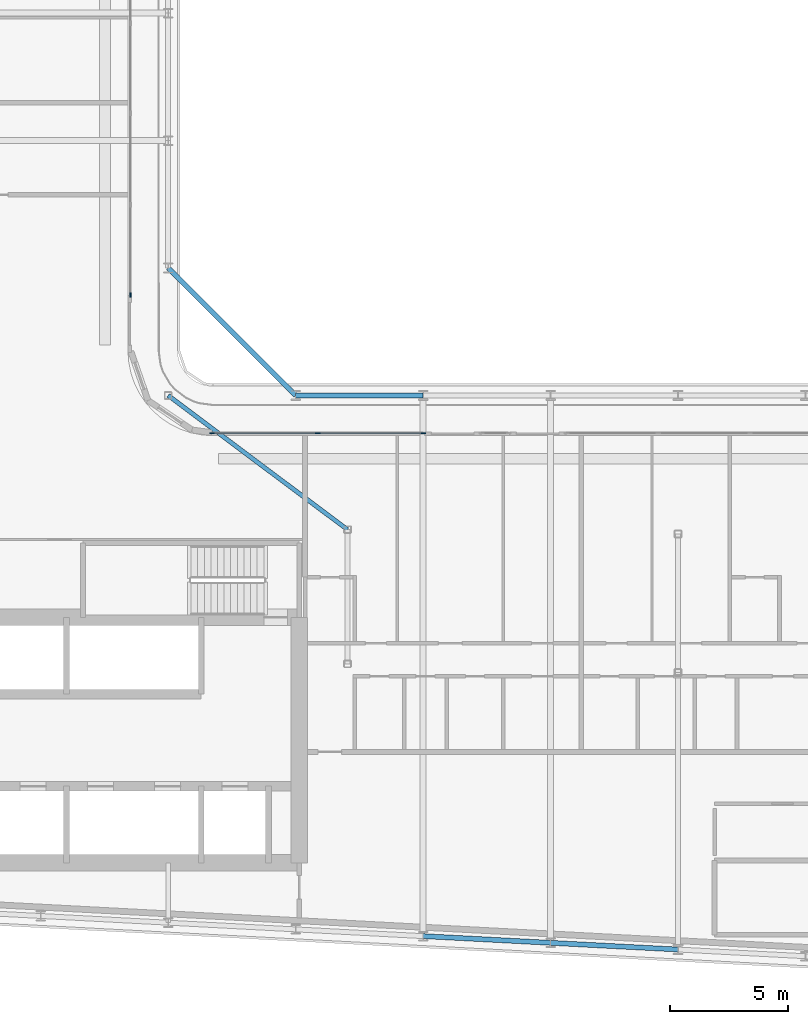
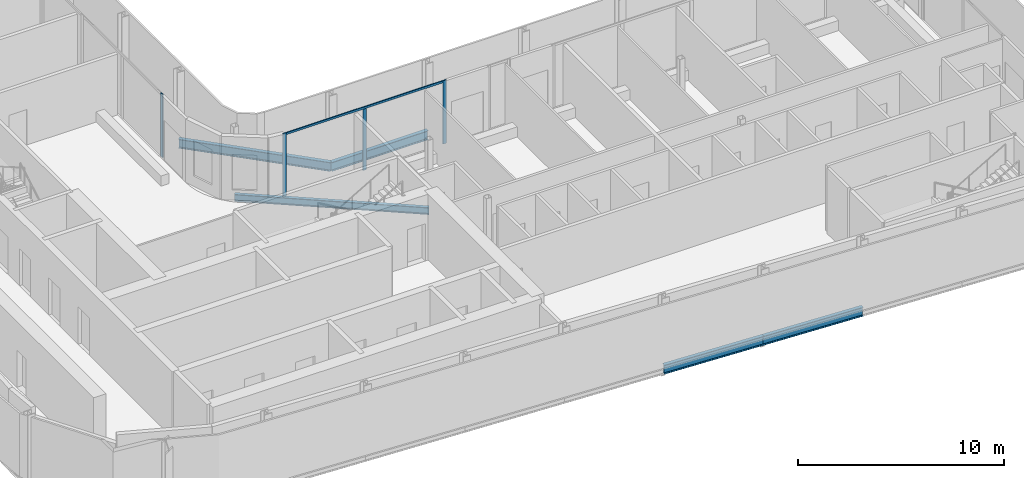
# One storey, part 4 of 22: 5 beams, 5 members, 2 elements without a shape of their own.
"""IFC4 building model written with IfcOpenShell, lengths in metres."""

from ifc_helpers import new_model, si_unit, direction, frame, origin, origin_2d, place, context, subcontext, project, spatial, rectangle, i_section, extrude, material, layer, layer_set, material_profile, profile_set, type_object, element, aggregate, save


model = new_model("IFC4")

# Units and contexts
model_context = context("Model", 3, precision=1e-05, world=origin(), true_north=direction((0.0, 1.0)))
body_context = subcontext(model_context, "Body", "Model", "MODEL_VIEW")
ifc_project = project(units=[si_unit("LENGTHUNIT", "METRE"), si_unit("AREAUNIT", "SQUARE_METRE"), si_unit("VOLUMEUNIT", "CUBIC_METRE"), si_unit("PLANEANGLEUNIT", "RADIAN"), si_unit("MASSUNIT", "GRAM", prefix="KILO")], contexts=[model_context])

# Site, building, storey
site_placement = place(None, origin())
site = spatial("IfcSite", under=ifc_project, at=site_placement, CompositionType="ELEMENT")
building_placement = place(site_placement, origin())
building = spatial("IfcBuilding", under=site, at=building_placement, Name="Kheshtan School and Residences Tower", CompositionType="ELEMENT")
storey_placement = place(building_placement, frame((0.0, 0.0, 263.0)))
storey = spatial("IfcBuildingStorey", under=building, at=storey_placement, Name="L62", CompositionType="ELEMENT", Elevation=263.0)

# Beams
ifc_material_1 = material(Name="Steel ASTM A992 Grade 50", Category="steel")
ifc_material_profile_1 = material_profile(ifc_material_1, i_section(OverallWidth=0.180908203125, OverallDepth=0.4169921875, WebThickness=0.010986328125, FlangeThickness=0.018310546875, FilletRadius=0.012451171875, at=origin_2d()), Name="W410x85")
ifc_profile_set_1 = profile_set([ifc_material_profile_1], Name="Steel ASTM A992 Grade 50")
beam_type_1 = type_object("IfcBeamType", Name="Beam FB3 W410x85 ASTM A992 Grade 50", PredefinedType="BEAM", material=ifc_profile_set_1)
beam_1_placement = place(storey_placement, frame((47.60009765625, 45.60009765625, -0.3583984375), z_axis=(0.800798828004, -0.598933416222, 0.0), x_axis=(0.598933416222, 0.800798828004, 0.0)))
element("IfcBeam", 1, at=beam_1_placement, inside=storey, type_object=beam_type_1, Name="Floor beam IC", PredefinedType="BEAM", context=body_context, shape_type="SweptSolid", body=[
    extrude(i_section(OverallWidth=0.180908203125, OverallDepth=0.4169921875, WebThickness=0.010986328125, FlangeThickness=0.018310546875, FilletRadius=0.012451171875, at=origin_2d()), origin(), (0.0, 0.0, 1.0), 9.490234375),
])
ifc_material_profile_2 = material_profile(ifc_material_1, i_section(OverallWidth=0.208984375, OverallDepth=0.532958984375, WebThickness=0.01025390625, FlangeThickness=0.015625, FilletRadius=0.013916015625, at=origin_2d()), Name="W530x92")
ifc_profile_set_2 = profile_set([ifc_material_profile_2], Name="Steel ASTM A992 Grade 50")
beam_type_2 = type_object("IfcBeamType", Name="Beam SP3 W530x92 ASTM A992 Grade 50", PredefinedType="BEAM", material=ifc_profile_set_2)
beam_2_placement = place(storey_placement, frame((47.60009765625, 51.0, -0.41650390625), z_axis=(0.707106781187, -0.707106781187, 0.0), x_axis=(0.707106781187, 0.707106781187, 0.0)))
element("IfcBeam", 2, at=beam_2_placement, inside=storey, type_object=beam_type_2, Name="Spandrel beam C079-C061", PredefinedType="BEAM", context=body_context, shape_type="SweptSolid", body=[
    extrude(i_section(OverallWidth=0.208984375, OverallDepth=0.532958984375, WebThickness=0.01025390625, FlangeThickness=0.015625, FilletRadius=0.013916015625, at=origin_2d()), origin(), (0.0, 0.0, 1.0), 7.63671875),
])
beam_3_placement = place(storey_placement, frame((53.0, 45.60009765625, -0.41650390625), z_axis=(1.0, 0.0, 0.0), x_axis=(0.0, 1.0, 0.0)))
element("IfcBeam", 3, at=beam_3_placement, inside=storey, type_object=beam_type_2, Name="Spandrel beam C061-C062", PredefinedType="BEAM", context=body_context, shape_type="SweptSolid", body=[
    extrude(i_section(OverallWidth=0.208984375, OverallDepth=0.532958984375, WebThickness=0.01025390625, FlangeThickness=0.015625, FilletRadius=0.013916015625, at=origin_2d()), origin(), (0.0, 0.0, 1.0), 5.39990234375),
])
beam_4_placement = place(storey_placement, frame((69.199951171875, 22.126953125, -0.41650390625), z_axis=(-0.998620447272, 0.05250906864, 0.0), x_axis=(-0.05250906864, -0.998620447272, 0.0)))
element("IfcBeam", 4, at=beam_4_placement, inside=storey, type_object=beam_type_2, Name="Spandrel beam C014-C016", PredefinedType="BEAM", context=body_context, shape_type="SweptSolid", body=[
    extrude(i_section(OverallWidth=0.208984375, OverallDepth=0.532958984375, WebThickness=0.01025390625, FlangeThickness=0.015625, FilletRadius=0.013916015625, at=origin_2d()), origin(), (0.0, 0.0, 1.0), 5.407470703125),
])
beam_5_placement = place(storey_placement, frame((63.800048828125, 22.410888671875, -0.41650390625), z_axis=(-0.998618203458, 0.052551724256, 0.0), x_axis=(-0.052551724256, -0.998618203458, 0.0)))
element("IfcBeam", 5, at=beam_5_placement, inside=storey, type_object=beam_type_2, Name="Spandrel beam C016-C018", PredefinedType="BEAM", context=body_context, shape_type="SweptSolid", body=[
    extrude(i_section(OverallWidth=0.208984375, OverallDepth=0.532958984375, WebThickness=0.01025390625, FlangeThickness=0.015625, FilletRadius=0.013916015625, at=origin_2d()), origin(), (0.0, 0.0, 1.0), 5.40771484375),
])

# Curtain wall, member
ifc_material_2 = material(Name="Clear low-e glass in thermally broken aluminium frame", Category="aluminium")
ifc_layer = layer(ifc_material_2, 0.199951171875)
ifc_layer_set = layer_set([ifc_layer], Name="Curtain wall CW-L")
curtain_wall_type = type_object("IfcCurtainWallType", Name="Curtain wall CW-L", PredefinedType="NOTDEFINED", material=ifc_layer_set)
curtain_wall_1_placement = place(storey_placement, origin())
curtain_wall_1 = element("IfcCurtainWall", 6, at=curtain_wall_1_placement, inside=storey, type_object=curtain_wall_type, Name="Curtain wall CWL8", PredefinedType="NOTDEFINED")
ifc_material_3 = material(Name="Thermally broken aluminium, dark bronze anodised", Category="aluminium")
ifc_material_profile_3 = material_profile(ifc_material_3, rectangle(XDim=0.06005859375, YDim=0.199951171875, at=origin_2d()), Name="CW-L mullion 60x200")
ifc_profile_set_3 = profile_set([ifc_material_profile_3], Name="Thermally broken aluminium, dark bronze anodised")
member_type_1 = type_object("IfcMemberType", Name="CW-L mullion 60x200", PredefinedType="MULLION", material=ifc_profile_set_3)
member_1_placement = place(storey_placement, frame((46.0, 49.860107421875, 0.0), z_axis=(0.0, 0.0, 1.0), x_axis=(1.0, 0.0, 0.0)))
member_1 = element("IfcMember", 7, at=member_1_placement, type_object=member_type_1, Name="CWL8 mullion 3", PredefinedType="MULLION", context=body_context, shape_type="SweptSolid", body=[
    extrude(rectangle(XDim=0.06005859375, YDim=0.199951171875, at=origin_2d()), origin(), (0.0, 0.0, 1.0), 3.75),
])
aggregate(curtain_wall_1, [member_1])

# Curtain wall, members
curtain_wall_2_placement = place(storey_placement, origin())
curtain_wall_2 = element("IfcCurtainWall", 8, at=curtain_wall_2_placement, inside=storey, type_object=curtain_wall_type, Name="Curtain wall CWL1231", PredefinedType="NOTDEFINED")
member_2_placement = place(storey_placement, frame((49.4599609375, 44.0, 0.0), z_axis=(0.0, 0.0, 1.0), x_axis=(0.0, 1.0, 0.0)))
member_2 = element("IfcMember", 9, at=member_2_placement, type_object=member_type_1, Name="CWL1231 mullion 1", PredefinedType="MULLION", context=body_context, shape_type="SweptSolid", body=[
    extrude(rectangle(XDim=0.06005859375, YDim=0.199951171875, at=origin_2d()), origin(), (0.0, 0.0, 1.0), 3.75),
])
member_3_placement = place(storey_placement, frame((53.941650390625, 44.0, 0.0), z_axis=(0.0, 0.0, 1.0), x_axis=(0.0, 1.0, 0.0)))
member_3 = element("IfcMember", 10, at=member_3_placement, type_object=member_type_1, Name="CWL1231 mullion 2", PredefinedType="MULLION", context=body_context, shape_type="SweptSolid", body=[
    extrude(rectangle(XDim=0.06005859375, YDim=0.199951171875, at=origin_2d()), origin(), (0.0, 0.0, 1.0), 3.6298828125),
])
member_4_placement = place(storey_placement, frame((58.42333984375, 44.0, 0.0), z_axis=(0.0, 0.0, 1.0), x_axis=(0.0, 1.0, 0.0)))
member_4 = element("IfcMember", 11, at=member_4_placement, type_object=member_type_1, Name="CWL1231 mullion 3", PredefinedType="MULLION", context=body_context, shape_type="SweptSolid", body=[
    extrude(rectangle(XDim=0.06005859375, YDim=0.199951171875, at=origin_2d()), origin(), (0.0, 0.0, 1.0), 3.75),
])
ifc_material_profile_4 = material_profile(ifc_material_3, rectangle(XDim=0.06005859375, YDim=0.1201171875, at=origin_2d()), Name="CW-L transom 60x120")
ifc_profile_set_4 = profile_set([ifc_material_profile_4], Name="Thermally broken aluminium, dark bronze anodised")
member_type_2 = type_object("IfcMemberType", Name="CW-L transom 60x120", PredefinedType="USERDEFINED", material=ifc_profile_set_4)
member_5_placement = place(storey_placement, frame((49.489990234375, 44.0, 3.68994140625), z_axis=(1.0, 0.0, 0.0), x_axis=(0.0, 1.0, 0.0)))
member_5 = element("IfcMember", 12, at=member_5_placement, type_object=member_type_2, Name="CWL1231 transom 1", ObjectType="TRANSOM", PredefinedType="USERDEFINED", context=body_context, shape_type="SweptSolid", body=[
    extrude(rectangle(XDim=0.06005859375, YDim=0.1201171875, at=origin_2d()), origin(), (0.0, 0.0, 1.0), 8.9033203125),
])
aggregate(curtain_wall_2, [member_2, member_3, member_4, member_5])

save(model, "model.ifc")
